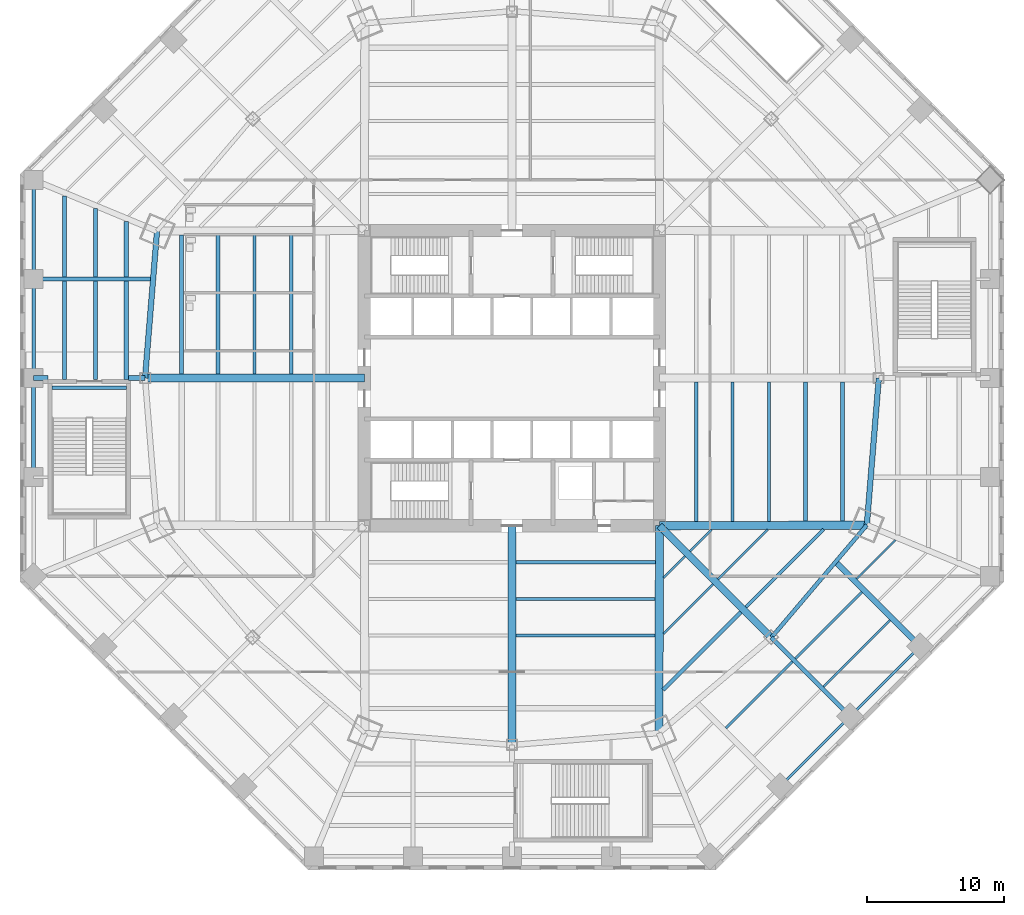
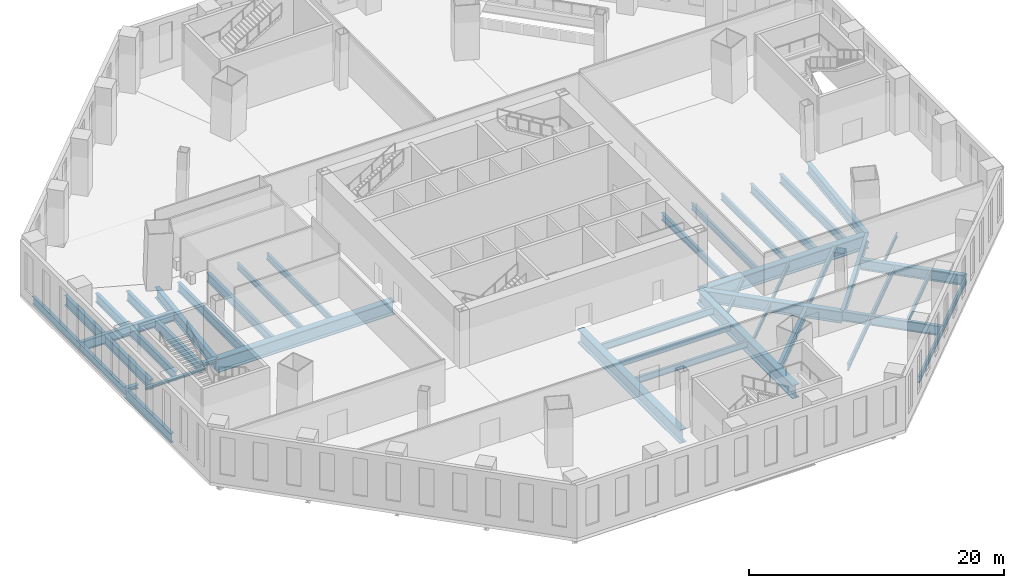
# One storey, part 3 of 18: 45 beams, 2 members.
"""IFC4 building model written with IfcOpenShell, lengths in metres."""

from ifc_helpers import new_model, si_unit, direction, frame, origin, origin_2d, place, context, subcontext, project, spatial, i_section, extrude, source, transform, mapped, material, material_profile, profile_set, type_object, type_shapes, element, save


model = new_model("IFC4")

# Units and contexts
model_context = context("Model", 3, precision=1e-05, world=origin(), true_north=direction((0.0, 1.0)))
body_context = subcontext(model_context, "Body", "Model", "MODEL_VIEW")
ifc_project = project(units=[si_unit("LENGTHUNIT", "METRE"), si_unit("AREAUNIT", "SQUARE_METRE"), si_unit("VOLUMEUNIT", "CUBIC_METRE"), si_unit("PLANEANGLEUNIT", "RADIAN"), si_unit("MASSUNIT", "GRAM", prefix="KILO")], contexts=[model_context])

# Site, building, storey
site_placement = place(None, origin())
site = spatial("IfcSite", under=ifc_project, at=site_placement, CompositionType="ELEMENT")
building_placement = place(site_placement, origin())
building = spatial("IfcBuilding", under=site, at=building_placement, Name="Mashrafa Tower", CompositionType="ELEMENT")
storey_placement = place(building_placement, frame((0.0, 0.0, 13.199951171875)))
storey = spatial("IfcBuildingStorey", under=building, at=storey_placement, Name="L02", CompositionType="ELEMENT", Elevation=13.199951171875)

# Beams
ifc_material_1 = material(Name="Steel ASTM A572 Gr 50", Category="steel")
ifc_material_profile_1 = material_profile(ifc_material_1, i_section(OverallWidth=0.5, OverallDepth=1.10009765625, WebThickness=0.02490234375, FlangeThickness=0.050048828125, at=origin_2d()), Name="H1100X500X25X50")
ifc_profile_set_1 = profile_set([ifc_material_profile_1], Name="Steel ASTM A572 Gr 50")
beam_type_1 = type_object("IfcBeamType", Name="Beam H1100X500X25X50", PredefinedType="BEAM", material=ifc_profile_set_1)
beam_1_placement = place(storey_placement, frame((10.800048828125, -10.800048828125, -0.849853515625), z_axis=(0.707106781187, -0.707106781187, 0.0), x_axis=(0.707106781187, 0.707106781187, 0.0)))
element("IfcBeam", 1, at=beam_1_placement, inside=storey, type_object=beam_type_1, Name="Radial girder L02 223", PredefinedType="BEAM", context=body_context, shape_type="SweptSolid", body=[
    extrude(i_section(OverallWidth=0.5, OverallDepth=1.10009765625, WebThickness=0.02490234375, FlangeThickness=0.050048828125, at=origin_2d()), origin(), (0.0, 0.0, 1.0), 11.576171875),
])
ifc_material_2 = material(Name="Steel ASTM A572 Gr 50", Category="steel")
ifc_material_profile_2 = material_profile(ifc_material_2, i_section(OverallWidth=0.60009765625, OverallDepth=1.300048828125, WebThickness=0.028076171875, FlangeThickness=0.06494140625, at=origin_2d()), Name="H1300X600X28X65")
ifc_profile_set_2 = profile_set([ifc_material_profile_2], Name="Steel ASTM A572 Gr 50")
beam_type_2 = type_object("IfcBeamType", Name="Beam H1300X600X28X65", PredefinedType="BEAM", material=ifc_profile_set_2)
for number, where, z_axis, x_axis, name in (
    (2, (-10.800048828125, 0.0, -0.949951171875), (-1.0, 0.0, 0.0), (0.0, -1.0, 0.0), "Radial girder L02 216"),
    (3, (0.0, -10.800048828125, -0.949951171875), (0.0, -1.0, 0.0), (1.0, 0.0, 0.0), "Radial girder L02 220"),
):
    element("IfcBeam", number, at=place(storey_placement, frame(where, z_axis=z_axis, x_axis=x_axis)), inside=storey, type_object=beam_type_2, Name=name, PredefinedType="BEAM", context=body_context, shape_type="SweptSolid", body=[
        extrude(i_section(OverallWidth=0.60009765625, OverallDepth=1.300048828125, WebThickness=0.028076171875, FlangeThickness=0.06494140625, at=origin_2d()), origin(), (0.0, 0.0, 1.0), 16.0498046875),
    ])
for number, where, z_axis, x_axis, name in (
    (4, (10.800048828125, -10.800048828125, -0.949951171875), (-0.002783890858, -0.999996124968, 0.0), (0.999996124968, -0.002783890858, 0.0), "Radial girder L02 222"),
    (5, (10.800048828125, -10.800048828125, -0.949951171875), (0.999996124968, 0.002783890858, 0.0), (-0.002783890858, 0.999996124968, 0.0), "Radial girder L02 224"),
):
    element("IfcBeam", number, at=place(storey_placement, frame(where, z_axis=z_axis, x_axis=x_axis)), inside=storey, type_object=beam_type_2, Name=name, PredefinedType="BEAM", context=body_context, shape_type="SweptSolid", body=[
        extrude(i_section(OverallWidth=0.60009765625, OverallDepth=1.300048828125, WebThickness=0.028076171875, FlangeThickness=0.06494140625, at=origin_2d()), origin(), (0.0, 0.0, 1.0), 15.171630859375),
    ])
ifc_material_3 = material(Name="Steel ASTM A992", Category="steel")
ifc_material_profile_3 = material_profile(ifc_material_3, i_section(OverallWidth=0.164794921875, OverallDepth=0.309814453125, WebThickness=0.005859375, FlangeThickness=0.009765625, FilletRadius=0.007568359375, at=origin_2d()), Name="W12X26")
ifc_profile_set_3 = profile_set([ifc_material_profile_3], Name="Steel ASTM A992")
beam_type_3 = type_object("IfcBeamType", Name="Beam W12X26", PredefinedType="BEAM", material=ifc_profile_set_3)
for number, where, z_axis, x_axis, name in (
    (6, (12.669677734375, -13.023193359375, -0.454833984375), (-0.707106781187, -0.707106781187, 0.0), (0.707106781187, -0.707106781187, 0.0), "Floor beam L02 081"),
    (7, (14.603515625, -11.08935546875, -0.454833984375), (-0.707106781187, -0.707106781187, 0.0), (0.707106781187, -0.707106781187, 0.0), "Floor beam L02 090"),
):
    element("IfcBeam", number, at=place(storey_placement, frame(where, z_axis=z_axis, x_axis=x_axis)), inside=storey, type_object=beam_type_3, Name=name, PredefinedType="BEAM", context=body_context, shape_type="SweptSolid", body=[
        extrude(i_section(OverallWidth=0.164794921875, OverallDepth=0.309814453125, WebThickness=0.005859375, FlangeThickness=0.009765625, FilletRadius=0.007568359375, at=origin_2d()), origin(), (0.0, 0.0, 1.0), 2.23486328125),
    ])
ifc_material_4 = material(Name="Steel ASTM A992", Category="steel")
ifc_material_profile_4 = material_profile(ifc_material_4, i_section(OverallWidth=0.140380859375, OverallDepth=0.40380859375, WebThickness=0.007080078125, FlangeThickness=0.01123046875, FilletRadius=0.01025390625, at=origin_2d()), Name="W16X31")
ifc_profile_set_4 = profile_set([ifc_material_profile_4], Name="Steel ASTM A992")
beam_type_4 = type_object("IfcBeamType", Name="Beam W16X31", PredefinedType="BEAM", material=ifc_profile_set_4)
beam_2_placement = place(storey_placement, frame((28.068359375, -11.85302734375, -0.501953125), z_axis=(-0.707106781187, -0.707106781187, 0.0), x_axis=(0.707106781187, -0.707106781187, 0.0)))
element("IfcBeam", 8, at=beam_2_placement, inside=storey, type_object=beam_type_4, Name="Floor beam L02 113", PredefinedType="BEAM", context=body_context, shape_type="SweptSolid", body=[
    extrude(i_section(OverallWidth=0.140380859375, OverallDepth=0.40380859375, WebThickness=0.007080078125, FlangeThickness=0.01123046875, FilletRadius=0.01025390625, at=origin_2d()), origin(), (0.0, 0.0, 1.0), 4.0166015625),
])
ifc_material_5 = material(Name="Steel ASTM A992", Category="steel")
ifc_material_profile_5 = material_profile(ifc_material_5, i_section(OverallWidth=0.15234375, OverallDepth=0.449462890625, WebThickness=0.007568359375, FlangeThickness=0.0107421875, FilletRadius=0.01025390625, at=origin_2d()), Name="W18X35")
ifc_profile_set_5 = profile_set([ifc_material_profile_5], Name="Steel ASTM A992")
beam_type_5 = type_object("IfcBeamType", Name="Beam W18X35", PredefinedType="BEAM", material=ifc_profile_set_5)
for number, where, z_axis, x_axis, name in (
    (9, (14.716064453125, -15.069580078125, -0.524658203125), (-0.707106781187, -0.707106781187, 0.0), (0.707106781187, -0.707106781187, 0.0), "Floor beam L02 088"),
    (10, (18.707763671875, -11.077880859375, -0.524658203125), (-0.707106781187, -0.707106781187, 0.0), (0.707106781187, -0.707106781187, 0.0), "Floor beam L02 099"),
):
    element("IfcBeam", number, at=place(storey_placement, frame(where, z_axis=z_axis, x_axis=x_axis)), inside=storey, type_object=beam_type_5, Name=name, PredefinedType="BEAM", context=body_context, shape_type="SweptSolid", body=[
        extrude(i_section(OverallWidth=0.15234375, OverallDepth=0.449462890625, WebThickness=0.007568359375, FlangeThickness=0.0107421875, FilletRadius=0.01025390625, at=origin_2d()), origin(), (0.0, 0.0, 1.0), 5.145263671875),
    ])
ifc_material_6 = material(Name="Steel ASTM A992", Category="steel")
ifc_material_profile_6 = material_profile(ifc_material_6, i_section(OverallWidth=0.1650390625, OverallDepth=0.52587890625, WebThickness=0.0087890625, FlangeThickness=0.011474609375, FilletRadius=0.0126953125, at=origin_2d()), Name="W21X44")
ifc_profile_set_6 = profile_set([ifc_material_profile_6], Name="Steel ASTM A992")
beam_type_6 = type_object("IfcBeamType", Name="Beam W21X44", PredefinedType="BEAM", material=ifc_profile_set_6)
beam_3_placement = place(storey_placement, frame((27.672119140625, -17.70458984375, -0.562744140625), z_axis=(-0.707124486521, -0.707089075409, 0.0), x_axis=(0.707089075409, -0.707124486521, 0.0)))
element("IfcBeam", 11, at=beam_3_placement, inside=storey, type_object=beam_type_6, Name="Floor beam L02 112", PredefinedType="BEAM", context=body_context, shape_type="SweptSolid", body=[
    extrude(i_section(OverallWidth=0.1650390625, OverallDepth=0.52587890625, WebThickness=0.0087890625, FlangeThickness=0.011474609375, FilletRadius=0.0126953125, at=origin_2d()), origin(), (0.0, 0.0, 1.0), 6.89453125),
])
ifc_material_7 = material(Name="Steel ASTM A992", Category="steel")
ifc_material_profile_7 = material_profile(ifc_material_7, i_section(OverallWidth=0.177978515625, OverallDepth=0.599365234375, WebThickness=0.010009765625, FlangeThickness=0.012939453125, FilletRadius=0.012939453125, at=origin_2d()), Name="W24X55")
ifc_profile_set_7 = profile_set([ifc_material_profile_7], Name="Steel ASTM A992")
beam_type_7 = type_object("IfcBeamType", Name="Beam W24X55", PredefinedType="BEAM", material=ifc_profile_set_7)
for number, where, z_axis, x_axis, name in (
    (12, (20.51904296875, -20.736572265625, -0.599609375), (-0.707106781187, -0.707106781187, 0.0), (0.707106781187, -0.707106781187, 0.0), "Floor beam L02 100"),
    (13, (25.611572265625, -15.64404296875, -0.599609375), (-0.707106781187, -0.707106781187, 0.0), (0.707106781187, -0.707106781187, 0.0), "Floor beam L02 110"),
):
    element("IfcBeam", number, at=place(storey_placement, frame(where, z_axis=z_axis, x_axis=x_axis)), inside=storey, type_object=beam_type_7, Name=name, PredefinedType="BEAM", context=body_context, shape_type="SweptSolid", body=[
        extrude(i_section(OverallWidth=0.177978515625, OverallDepth=0.599365234375, WebThickness=0.010009765625, FlangeThickness=0.012939453125, FilletRadius=0.012939453125, at=origin_2d()), origin(), (0.0, 0.0, 1.0), 6.894287109375),
    ])
for number, where, z_axis, x_axis, name in (
    (14, (19.623046875, -29.87451171875, -0.599609375), (0.707106781187, 0.707106781187, 0.0), (-0.707106781187, 0.707106781187, 0.0), "Podium edge beam L02 145"),
    (15, (24.748779296875, -24.748779296875, -0.599609375), (0.707106781187, 0.707106781187, 0.0), (-0.707106781187, 0.707106781187, 0.0), "Podium edge beam L02 147"),
):
    element("IfcBeam", number, at=place(storey_placement, frame(where, z_axis=z_axis, x_axis=x_axis)), inside=storey, type_object=beam_type_7, Name=name, PredefinedType="BEAM", context=body_context, shape_type="SweptSolid", body=[
        extrude(i_section(OverallWidth=0.177978515625, OverallDepth=0.599365234375, WebThickness=0.010009765625, FlangeThickness=0.012939453125, FilletRadius=0.012939453125, at=origin_2d()), origin(), (0.0, 0.0, 1.0), 7.248779296875),
    ])
ifc_material_8 = material(Name="Steel ASTM A992", Category="steel")
ifc_material_profile_8 = material_profile(ifc_material_8, i_section(OverallWidth=0.227783203125, OverallDepth=0.60205078125, WebThickness=0.010498046875, FlangeThickness=0.014892578125, FilletRadius=0.012939453125, at=origin_2d()), Name="W24X68")
ifc_profile_set_8 = profile_set([ifc_material_profile_8], Name="Steel ASTM A992")
beam_type_8 = type_object("IfcBeamType", Name="Beam W24X68", PredefinedType="BEAM", material=ifc_profile_set_8)
beam_4_placement = place(storey_placement, frame((22.81201171875, -11.066650390625, -0.600830078125), z_axis=(-0.707106781187, -0.707106781187, 0.0), x_axis=(0.707106781187, -0.707106781187, 0.0)))
element("IfcBeam", 16, at=beam_4_placement, inside=storey, type_object=beam_type_8, Name="Floor beam L02 106", PredefinedType="BEAM", context=body_context, shape_type="SweptSolid", body=[
    extrude(i_section(OverallWidth=0.227783203125, OverallDepth=0.60205078125, WebThickness=0.010498046875, FlangeThickness=0.014892578125, FilletRadius=0.012939453125, at=origin_2d()), origin(), (0.0, 0.0, 1.0), 8.05517578125),
])
ifc_material_9 = material(Name="Steel ASTM A992", Category="steel")
ifc_material_profile_9 = material_profile(ifc_material_9, i_section(OverallWidth=0.228271484375, OverallDepth=0.607177734375, WebThickness=0.01123046875, FlangeThickness=0.017333984375, FilletRadius=0.0126953125, at=origin_2d()), Name="W24X76")
ifc_profile_set_9 = profile_set([ifc_material_profile_9], Name="Steel ASTM A992")
beam_type_9 = type_object("IfcBeamType", Name="Beam W24X76", PredefinedType="BEAM", material=ifc_profile_set_9)
beam_5_placement = place(storey_placement, frame((-18.824951171875, 0.300048828125, -0.603515625), z_axis=(0.0, 1.0, 0.0), x_axis=(-1.0, 0.0, 0.0)))
element("IfcBeam", 17, at=beam_5_placement, inside=storey, type_object=beam_type_9, Name="Floor beam L02 025", PredefinedType="BEAM", context=body_context, shape_type="SweptSolid", body=[
    extrude(i_section(OverallWidth=0.228271484375, OverallDepth=0.607177734375, WebThickness=0.01123046875, FlangeThickness=0.017333984375, FilletRadius=0.0126953125, at=origin_2d()), origin(), (0.0, 0.0, 1.0), 10.177734375),
])
beam_6_placement = place(storey_placement, frame((-16.14990234375, 0.300048828125, -0.603515625), z_axis=(0.0, 1.0, 0.0), x_axis=(-1.0, 0.0, 0.0)))
element("IfcBeam", 18, at=beam_6_placement, inside=storey, type_object=beam_type_9, Name="Floor beam L02 032", PredefinedType="BEAM", context=body_context, shape_type="SweptSolid", body=[
    extrude(i_section(OverallWidth=0.228271484375, OverallDepth=0.607177734375, WebThickness=0.01123046875, FlangeThickness=0.017333984375, FilletRadius=0.0126953125, at=origin_2d()), origin(), (0.0, 0.0, 1.0), 10.18505859375),
])
beam_7_placement = place(storey_placement, frame((10.477783203125, -18.824951171875, -0.603515625), z_axis=(-1.0, 0.0, 0.0), x_axis=(0.0, -1.0, 0.0)))
element("IfcBeam", 19, at=beam_7_placement, inside=storey, type_object=beam_type_9, Name="Floor beam L02 075", PredefinedType="BEAM", context=body_context, shape_type="SweptSolid", body=[
    extrude(i_section(OverallWidth=0.228271484375, OverallDepth=0.607177734375, WebThickness=0.01123046875, FlangeThickness=0.017333984375, FilletRadius=0.0126953125, at=origin_2d()), origin(), (0.0, 0.0, 1.0), 10.177734375),
])
for number, where, z_axis, x_axis, name in (
    (20, (10.485107421875, -16.14990234375, -0.603515625), (-1.0, 0.0, 0.0), (0.0, -1.0, 0.0), "Floor beam L02 076"),
    (21, (16.14990234375, -0.300048828125, -0.603515625), (0.0, -1.0, 0.0), (1.0, 0.0, 0.0), "Floor beam L02 091"),
):
    element("IfcBeam", number, at=place(storey_placement, frame(where, z_axis=z_axis, x_axis=x_axis)), inside=storey, type_object=beam_type_9, Name=name, PredefinedType="BEAM", context=body_context, shape_type="SweptSolid", body=[
        extrude(i_section(OverallWidth=0.228271484375, OverallDepth=0.607177734375, WebThickness=0.01123046875, FlangeThickness=0.017333984375, FilletRadius=0.0126953125, at=origin_2d()), origin(), (0.0, 0.0, 1.0), 10.18505859375),
    ])
beam_8_placement = place(storey_placement, frame((18.824951171875, -0.300048828125, -0.603515625), z_axis=(0.0, -1.0, 0.0), x_axis=(1.0, 0.0, 0.0)))
element("IfcBeam", 22, at=beam_8_placement, inside=storey, type_object=beam_type_9, Name="Floor beam L02 097", PredefinedType="BEAM", context=body_context, shape_type="SweptSolid", body=[
    extrude(i_section(OverallWidth=0.228271484375, OverallDepth=0.607177734375, WebThickness=0.01123046875, FlangeThickness=0.017333984375, FilletRadius=0.0126953125, at=origin_2d()), origin(), (0.0, 0.0, 1.0), 10.177734375),
])
ifc_material_10 = material(Name="Steel ASTM A992", Category="steel")
ifc_material_profile_10 = material_profile(ifc_material_10, i_section(OverallWidth=0.25390625, OverallDepth=0.67822265625, WebThickness=0.01171875, FlangeThickness=0.016357421875, FilletRadius=0.01513671875, at=origin_2d()), Name="W27X84")
ifc_profile_set_10 = profile_set([ifc_material_profile_10], Name="Steel ASTM A992")
beam_type_10 = type_object("IfcBeamType", Name="Beam W27X84", PredefinedType="BEAM", material=ifc_profile_set_10)
for number, where, z_axis, x_axis, name in (
    (23, (10.49267578125, -13.47509765625, -0.63916015625), (-1.0, 0.0, 0.0), (0.0, -1.0, 0.0), "Floor beam L02 078"),
    (24, (13.47509765625, -0.300048828125, -0.63916015625), (0.0, -1.0, 0.0), (1.0, 0.0, 0.0), "Floor beam L02 083"),
):
    element("IfcBeam", number, at=place(storey_placement, frame(where, z_axis=z_axis, x_axis=x_axis)), inside=storey, type_object=beam_type_10, Name=name, PredefinedType="BEAM", context=body_context, shape_type="SweptSolid", body=[
        extrude(i_section(OverallWidth=0.25390625, OverallDepth=0.67822265625, WebThickness=0.01171875, FlangeThickness=0.016357421875, FilletRadius=0.01513671875, at=origin_2d()), origin(), (0.0, 0.0, 1.0), 10.192626953125),
    ])
ifc_material_11 = material(Name="Steel ASTM A992", Category="steel")
ifc_material_profile_11 = material_profile(ifc_material_11, i_section(OverallWidth=0.2666015625, OverallDepth=0.75439453125, WebThickness=0.01318359375, FlangeThickness=0.01708984375, FilletRadius=0.0166015625, at=origin_2d()), Name="W30X99")
ifc_profile_set_11 = profile_set([ifc_material_profile_11], Name="Steel ASTM A992")
beam_type_11 = type_object("IfcBeamType", Name="Beam W30X99", PredefinedType="BEAM", material=ifc_profile_set_11)
for number, where, z_axis, x_axis, name in (
    (25, (-35.0, 7.248779296875, -0.67724609375), (0.0, -1.0, 0.0), (1.0, 0.0, 0.0), "Podium edge beam L02 127"),
    (26, (-35.0, 14.49755859375, -0.67724609375), (0.0, -1.0, 0.0), (1.0, 0.0, 0.0), "Podium edge beam L02 128"),
):
    element("IfcBeam", number, at=place(storey_placement, frame(where, z_axis=z_axis, x_axis=x_axis)), inside=storey, type_object=beam_type_11, Name=name, PredefinedType="BEAM", context=body_context, shape_type="SweptSolid", body=[
        extrude(i_section(OverallWidth=0.2666015625, OverallDepth=0.75439453125, WebThickness=0.01318359375, FlangeThickness=0.01708984375, FilletRadius=0.0166015625, at=origin_2d()), origin(), (0.0, 0.0, 1.0), 7.248779296875),
    ])
ifc_material_12 = material(Name="Steel ASTM A992", Category="steel")
ifc_material_profile_12 = material_profile(ifc_material_12, i_section(OverallWidth=0.2919921875, OverallDepth=0.8408203125, WebThickness=0.0146484375, FlangeThickness=0.021728515625, FilletRadius=0.017333984375, at=origin_2d()), Name="W33X130")
ifc_profile_set_12 = profile_set([ifc_material_profile_12], Name="Steel ASTM A992")
beam_type_12 = type_object("IfcBeamType", Name="Beam W33X130", PredefinedType="BEAM", material=ifc_profile_set_12)
beam_9_placement = place(storey_placement, frame((16.762451171875, -17.1162109375, -0.72021484375), z_axis=(-0.707106781187, -0.707106781187, 0.0), x_axis=(0.707106781187, -0.707106781187, 0.0)))
element("IfcBeam", 27, at=beam_9_placement, inside=storey, type_object=beam_type_12, Name="Floor beam L02 094", PredefinedType="BEAM", context=body_context, shape_type="SweptSolid", body=[
    extrude(i_section(OverallWidth=0.2919921875, OverallDepth=0.8408203125, WebThickness=0.0146484375, FlangeThickness=0.021728515625, FilletRadius=0.017333984375, at=origin_2d()), origin(), (0.0, 0.0, 1.0), 8.05517578125),
])
beam_10_placement = place(storey_placement, frame((18.985595703125, -18.985595703125, -0.72021484375), z_axis=(0.647243221602, 0.762283550977, 0.0), x_axis=(-0.762283550977, 0.647243221602, 0.0)))
element("IfcBeam", 28, at=beam_10_placement, inside=storey, type_object=beam_type_12, Name="Podium ring girder L02 208", PredefinedType="BEAM", context=body_context, shape_type="SweptSolid", body=[
    extrude(i_section(OverallWidth=0.2919921875, OverallDepth=0.8408203125, WebThickness=0.0146484375, FlangeThickness=0.021728515625, FilletRadius=0.017333984375, at=origin_2d()), origin(), (0.0, 0.0, 1.0), 10.793701171875),
])
ifc_material_13 = material(Name="Steel ASTM A992", Category="steel")
ifc_material_profile_13 = material_profile(ifc_material_13, i_section(OverallWidth=0.2919921875, OverallDepth=0.845703125, WebThickness=0.015380859375, FlangeThickness=0.0244140625, FilletRadius=0.017333984375, at=origin_2d()), Name="W33X141")
ifc_profile_set_13 = profile_set([ifc_material_profile_13], Name="Steel ASTM A992")
beam_type_13 = type_object("IfcBeamType", Name="Beam W33X141", PredefinedType="BEAM", material=ifc_profile_set_13)
for number, where, z_axis, x_axis, name in (
    (29, (-21.5, 0.300048828125, -0.722900390625), (0.0, 1.0, 0.0), (-1.0, 0.0, 0.0), "Floor beam L02 020"),
    (30, (21.5, -0.300048828125, -0.722900390625), (0.0, -1.0, 0.0), (1.0, 0.0, 0.0), "Floor beam L02 102"),
):
    element("IfcBeam", number, at=place(storey_placement, frame(where, z_axis=z_axis, x_axis=x_axis)), inside=storey, type_object=beam_type_13, Name=name, PredefinedType="BEAM", context=body_context, shape_type="SweptSolid", body=[
        extrude(i_section(OverallWidth=0.2919921875, OverallDepth=0.845703125, WebThickness=0.015380859375, FlangeThickness=0.0244140625, FilletRadius=0.017333984375, at=origin_2d()), origin(), (0.0, 0.0, 1.0), 10.170166015625),
    ])
ifc_material_14 = material(Name="Steel ASTM A992", Category="steel")
ifc_material_profile_14 = material_profile(ifc_material_14, i_section(OverallWidth=0.2919921875, OverallDepth=0.8583984375, WebThickness=0.01708984375, FlangeThickness=0.031005859375, FilletRadius=0.017822265625, at=origin_2d()), Name="W33X169")
ifc_profile_set_14 = profile_set([ifc_material_profile_14], Name="Steel ASTM A992")
beam_type_14 = type_object("IfcBeamType", Name="Beam W33X169", PredefinedType="BEAM", material=ifc_profile_set_14)
beam_11_placement = place(storey_placement, frame((-30.48583984375, -0.10009765625, -0.729248046875), z_axis=(0.0, 1.0, 0.0), x_axis=(-1.0, 0.0, 0.0)))
element("IfcBeam", 31, at=beam_11_placement, inside=storey, type_object=beam_type_14, Name="Floor beam L02 005 part 1", PredefinedType="BEAM", context=body_context, shape_type="SweptSolid", body=[
    extrude(i_section(OverallWidth=0.2919921875, OverallDepth=0.8583984375, WebThickness=0.01708984375, FlangeThickness=0.031005859375, FilletRadius=0.017822265625, at=origin_2d()), origin(), (0.0, 0.0, 1.0), 7.195068359375),
])
beam_12_placement = place(storey_placement, frame((-30.48583984375, 7.40234375, -0.729248046875), z_axis=(0.0, 1.0, 0.0), x_axis=(-1.0, 0.0, 0.0)))
element("IfcBeam", 32, at=beam_12_placement, inside=storey, type_object=beam_type_14, Name="Floor beam L02 005 part 2", PredefinedType="BEAM", context=body_context, shape_type="SweptSolid", body=[
    extrude(i_section(OverallWidth=0.2919921875, OverallDepth=0.8583984375, WebThickness=0.01708984375, FlangeThickness=0.031005859375, FilletRadius=0.017822265625, at=origin_2d()), origin(), (0.0, 0.0, 1.0), 4.99853515625),
])
for number, where, z_axis, x_axis, name in (
    (33, (-24.1748046875, 0.300048828125, -0.729248046875), (0.0, 1.0, 0.0), (-1.0, 0.0, 0.0), "Floor beam L02 015"),
    (34, (24.1748046875, -0.300048828125, -0.729248046875), (0.0, -1.0, 0.0), (1.0, 0.0, 0.0), "Floor beam L02 107"),
):
    element("IfcBeam", number, at=place(storey_placement, frame(where, z_axis=z_axis, x_axis=x_axis)), inside=storey, type_object=beam_type_14, Name=name, PredefinedType="BEAM", context=body_context, shape_type="SweptSolid", body=[
        extrude(i_section(OverallWidth=0.2919921875, OverallDepth=0.8583984375, WebThickness=0.01708984375, FlangeThickness=0.031005859375, FilletRadius=0.017822265625, at=origin_2d()), origin(), (0.0, 0.0, 1.0), 10.162841796875),
    ])
ifc_material_15 = material(Name="Steel ASTM A992", Category="steel")
ifc_material_profile_15 = material_profile(ifc_material_15, i_section(OverallWidth=0.3046875, OverallDepth=0.911865234375, WebThickness=0.015869140625, FlangeThickness=0.02392578125, FilletRadius=0.01904296875, at=origin_2d()), Name="W36X150")
ifc_profile_set_15 = profile_set([ifc_material_profile_15], Name="Steel ASTM A992")
beam_type_15 = type_object("IfcBeamType", Name="Beam W36X150", PredefinedType="BEAM", material=ifc_profile_set_15)
beam_13_placement = place(storey_placement, frame((-35.0, 0.0, -0.755859375), z_axis=(0.0, -1.0, 0.0), x_axis=(1.0, 0.0, 0.0)))
element("IfcBeam", 35, at=beam_13_placement, inside=storey, type_object=beam_type_15, Name="Podium edge beam L02 126", PredefinedType="BEAM", context=body_context, shape_type="SweptSolid", body=[
    extrude(i_section(OverallWidth=0.3046875, OverallDepth=0.911865234375, WebThickness=0.015869140625, FlangeThickness=0.02392578125, FilletRadius=0.01904296875, at=origin_2d()), origin(), (0.0, 0.0, 1.0), 7.248779296875),
])
ifc_material_16 = material(Name="Steel ASTM A992", Category="steel")
ifc_material_profile_16 = material_profile(ifc_material_16, i_section(OverallWidth=0.307373046875, OverallDepth=0.927001953125, WebThickness=0.01953125, FlangeThickness=0.031982421875, FilletRadius=0.01904296875, at=origin_2d()), Name="W36X194")
ifc_profile_set_16 = profile_set([ifc_material_profile_16], Name="Steel ASTM A992")
beam_type_16 = type_object("IfcBeamType", Name="Beam W36X194", PredefinedType="BEAM", material=ifc_profile_set_16)
beam_14_placement = place(storey_placement, frame((-32.742919921875, -0.10009765625, -0.763427734375), z_axis=(0.0, 1.0, 0.0), x_axis=(-1.0, 0.0, 0.0)))
element("IfcBeam", 36, at=beam_14_placement, inside=storey, type_object=beam_type_16, Name="Floor beam L02 002 part 1", PredefinedType="BEAM", context=body_context, shape_type="SweptSolid", body=[
    extrude(i_section(OverallWidth=0.307373046875, OverallDepth=0.927001953125, WebThickness=0.01953125, FlangeThickness=0.031982421875, FilletRadius=0.01904296875, at=origin_2d()), origin(), (0.0, 0.0, 1.0), 7.195068359375),
])
beam_15_placement = place(storey_placement, frame((-32.742919921875, 7.40234375, -0.763427734375), z_axis=(0.0, 1.0, 0.0), x_axis=(-1.0, 0.0, 0.0)))
element("IfcBeam", 37, at=beam_15_placement, inside=storey, type_object=beam_type_16, Name="Floor beam L02 002 part 2", PredefinedType="BEAM", context=body_context, shape_type="SweptSolid", body=[
    extrude(i_section(OverallWidth=0.307373046875, OverallDepth=0.927001953125, WebThickness=0.01953125, FlangeThickness=0.031982421875, FilletRadius=0.01904296875, at=origin_2d()), origin(), (0.0, 0.0, 1.0), 5.933349609375),
])
beam_16_placement = place(storey_placement, frame((-28.228759765625, -0.10009765625, -0.763427734375), z_axis=(0.0, 1.0, 0.0), x_axis=(-1.0, 0.0, 0.0)))
element("IfcBeam", 38, at=beam_16_placement, inside=storey, type_object=beam_type_16, Name="Floor beam L02 008 part 1", PredefinedType="BEAM", context=body_context, shape_type="SweptSolid", body=[
    extrude(i_section(OverallWidth=0.307373046875, OverallDepth=0.927001953125, WebThickness=0.01953125, FlangeThickness=0.031982421875, FilletRadius=0.01904296875, at=origin_2d()), origin(), (0.0, 0.0, 1.0), 7.195068359375),
])
beam_17_placement = place(storey_placement, frame((-28.228759765625, 7.40234375, -0.763427734375), z_axis=(0.0, 1.0, 0.0), x_axis=(-1.0, 0.0, 0.0)))
element("IfcBeam", 39, at=beam_17_placement, inside=storey, type_object=beam_type_16, Name="Floor beam L02 008 part 2", PredefinedType="BEAM", context=body_context, shape_type="SweptSolid", body=[
    extrude(i_section(OverallWidth=0.307373046875, OverallDepth=0.927001953125, WebThickness=0.01953125, FlangeThickness=0.031982421875, FilletRadius=0.01904296875, at=origin_2d()), origin(), (0.0, 0.0, 1.0), 4.0634765625),
])
beam_18_placement = place(storey_placement, frame((-26.45947265625, 7.248779296875, -0.763427734375), z_axis=(-1.0, 0.0, 0.0), x_axis=(0.0, -1.0, 0.0)))
element("IfcBeam", 40, at=beam_18_placement, inside=storey, type_object=beam_type_16, Name="Podium radial beam L02 160", PredefinedType="BEAM", context=body_context, shape_type="SweptSolid", body=[
    extrude(i_section(OverallWidth=0.307373046875, OverallDepth=0.927001953125, WebThickness=0.01953125, FlangeThickness=0.031982421875, FilletRadius=0.01904296875, at=origin_2d()), origin(), (0.0, 0.0, 1.0), 8.54052734375),
])
beam_19_placement = place(storey_placement, frame((18.985595703125, -18.985595703125, -0.763427734375), z_axis=(0.707106781187, -0.707106781187, 0.0), x_axis=(0.707106781187, 0.707106781187, 0.0)))
element("IfcBeam", 41, at=beam_19_placement, inside=storey, type_object=beam_type_16, Name="Podium radial beam L02 186", PredefinedType="BEAM", context=body_context, shape_type="SweptSolid", body=[
    extrude(i_section(OverallWidth=0.307373046875, OverallDepth=0.927001953125, WebThickness=0.01953125, FlangeThickness=0.031982421875, FilletRadius=0.01904296875, at=origin_2d()), origin(), (0.0, 0.0, 1.0), 8.150390625),
])
ifc_material_17 = material(Name="Steel ASTM A992", Category="steel")
ifc_material_profile_17 = material_profile(ifc_material_17, i_section(OverallWidth=0.4013671875, OverallDepth=0.98291015625, WebThickness=0.0166015625, FlangeThickness=0.027099609375, FilletRadius=0.0126953125, at=origin_2d()), Name="W40X199")
ifc_profile_set_17 = profile_set([ifc_material_profile_17], Name="Steel ASTM A992")
beam_type_17 = type_object("IfcBeamType", Name="Beam W40X199", PredefinedType="BEAM", material=ifc_profile_set_17)
beam_20_placement = place(storey_placement, frame((23.79638671875, -13.545166015625, -0.79150390625), z_axis=(0.707120982542, -0.707092579546, 0.0), x_axis=(0.707092579546, 0.707120982542, 0.0)))
element("IfcBeam", 42, at=beam_20_placement, inside=storey, type_object=beam_type_17, Name="Podium radial beam L02 188", PredefinedType="BEAM", context=body_context, shape_type="SweptSolid", body=[
    extrude(i_section(OverallWidth=0.4013671875, OverallDepth=0.98291015625, WebThickness=0.0166015625, FlangeThickness=0.027099609375, FilletRadius=0.0126953125, at=origin_2d()), origin(), (0.0, 0.0, 1.0), 8.595703125),
])
ifc_material_18 = material(Name="Steel ASTM A992", Category="steel")
ifc_material_profile_18 = material_profile(ifc_material_18, i_section(OverallWidth=0.4013671875, OverallDepth=1.010986328125, WebThickness=0.023681640625, FlangeThickness=0.0419921875, FilletRadius=0.02001953125, at=origin_2d()), Name="W40X297")
ifc_profile_set_18 = profile_set([ifc_material_profile_18], Name="Steel ASTM A992")
beam_type_18 = type_object("IfcBeamType", Name="Beam W40X297", PredefinedType="BEAM", material=ifc_profile_set_18)
for number, where, z_axis, x_axis, name in (
    (43, (-25.9716796875, 10.7578125, -0.805419921875), (-0.081360633784, -0.996684728121, 0.0), (0.996684728121, -0.081360633784, 0.0), "Podium ring girder L02 199"),
    (44, (25.9716796875, -10.7578125, -0.805419921875), (0.081360633784, 0.996684728121, 0.0), (-0.996684728121, 0.081360633784, 0.0), "Podium ring girder L02 210"),
):
    element("IfcBeam", number, at=place(storey_placement, frame(where, z_axis=z_axis, x_axis=x_axis)), inside=storey, type_object=beam_type_18, Name=name, PredefinedType="BEAM", context=body_context, shape_type="SweptSolid", body=[
        extrude(i_section(OverallWidth=0.4013671875, OverallDepth=1.010986328125, WebThickness=0.023681640625, FlangeThickness=0.0419921875, FilletRadius=0.02001953125, at=origin_2d()), origin(), (0.0, 0.0, 1.0), 10.793701171875),
    ])
ifc_material_19 = material(Name="Steel ASTM A992", Category="steel")
ifc_material_profile_19 = material_profile(ifc_material_19, i_section(OverallWidth=0.25390625, OverallDepth=0.25390625, WebThickness=0.008544921875, FlangeThickness=0.01416015625, FilletRadius=0.010009765625, at=origin_2d()), Name="W10X49")
ifc_profile_set_19 = profile_set([ifc_material_profile_19], Name="Steel ASTM A992")
beam_type_19 = type_object("IfcBeamType", Name="Hoistway beam W10X49", PredefinedType="BEAM", material=ifc_profile_set_19)
beam_21_placement = place(storey_placement, frame((-33.64990234375, -0.699951171875, -0.427001953125), z_axis=(1.0, 0.0, 0.0), x_axis=(0.0, 1.0, 0.0)))
element("IfcBeam", 45, at=beam_21_placement, inside=storey, type_object=beam_type_19, Name="Stair P3 landing beam L02", PredefinedType="BEAM", context=body_context, shape_type="SweptSolid", body=[
    extrude(i_section(OverallWidth=0.25390625, OverallDepth=0.25390625, WebThickness=0.008544921875, FlangeThickness=0.01416015625, FilletRadius=0.010009765625, at=origin_2d()), origin(), (0.0, 0.0, 1.0), 5.449951171875),
])

# Members
ifc_material_20 = material(Name="Steel ASTM A992", Category="steel")
ifc_material_profile_20 = material_profile(ifc_material_20, i_section(OverallWidth=0.368408203125, OverallDepth=0.355712890625, WebThickness=0.01123046875, FlangeThickness=0.01806640625, FilletRadius=0.01513671875, at=origin_2d()), Name="W14X90")
ifc_profile_set_20 = profile_set([ifc_material_profile_20], Name="Steel ASTM A992")
member_type = type_object("IfcMemberType", Name="Tie strut W14X90", PredefinedType="STRUT", material=ifc_profile_set_20)
shared_shape_1 = source(origin(), body_context, "Body", "SweptSolid", [
    extrude(i_section(OverallWidth=0.368408203125, OverallDepth=0.355712890625, WebThickness=0.01123046875, FlangeThickness=0.01806640625, FilletRadius=0.01513671875, at=origin_2d()), origin(), (0.0, 0.0, 1.0), 1.050048828125),
])
member_1_placement = place(storey_placement, frame((-33.949951171875, 0.0, -0.477783203125), z_axis=(-1.0, 0.0, 0.0), x_axis=(0.0, -1.0, 0.0)))
element("IfcMember", 46, at=member_1_placement, inside=storey, type_object=member_type, Name="Tie strut L02 157", PredefinedType="STRUT", context=body_context, shape_type="MappedRepresentation", body=[
    mapped(shared_shape_1, transform((0.0, 0.0, 0.0))),
])
shared_shape_2 = source(origin(), body_context, "Body", "SweptSolid", [
    extrude(i_section(OverallWidth=0.368408203125, OverallDepth=0.355712890625, WebThickness=0.01123046875, FlangeThickness=0.01806640625, FilletRadius=0.01513671875, at=origin_2d()), origin(), (0.0, 0.0, 1.0), 1.22509765625),
])
type_shapes(member_type, [shared_shape_1, shared_shape_2])
member_2_placement = place(storey_placement, frame((-26.849853515625, 0.0, -0.477783203125), z_axis=(-1.0, 0.0, 0.0), x_axis=(0.0, -1.0, 0.0)))
element("IfcMember", 47, at=member_2_placement, inside=storey, type_object=member_type, Name="Tie strut L02 158", PredefinedType="STRUT", context=body_context, shape_type="MappedRepresentation", body=[
    mapped(shared_shape_2, transform((0.0, 0.0, 0.0))),
])

save(model, "model.ifc")
